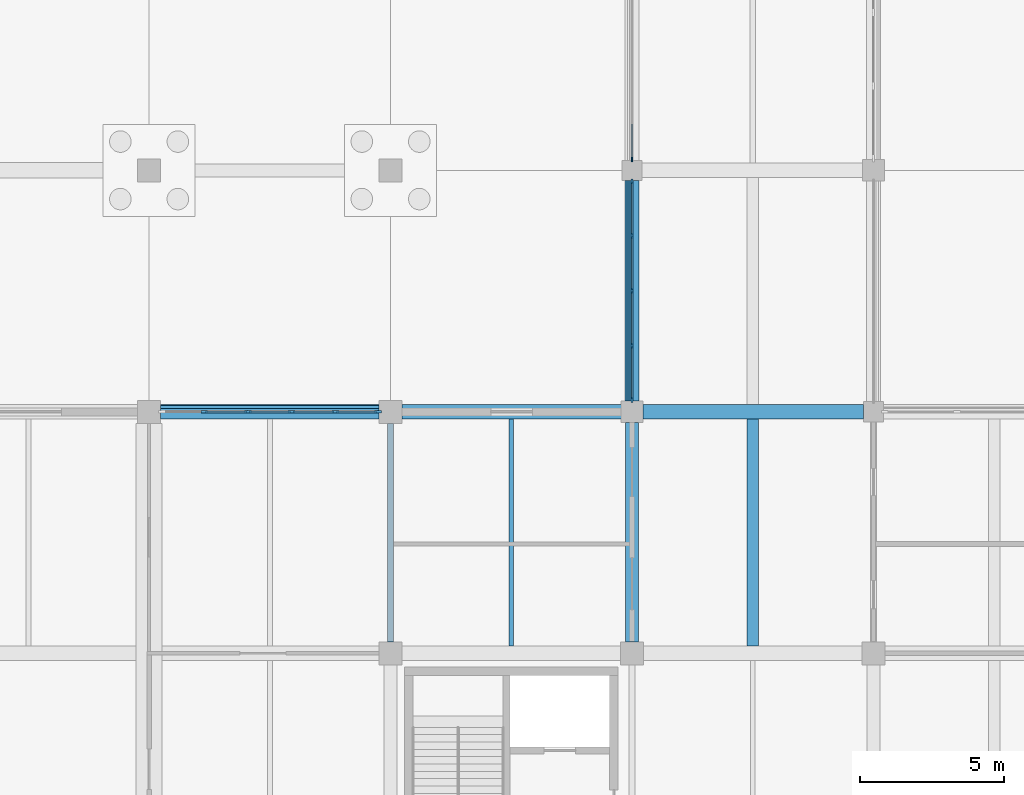
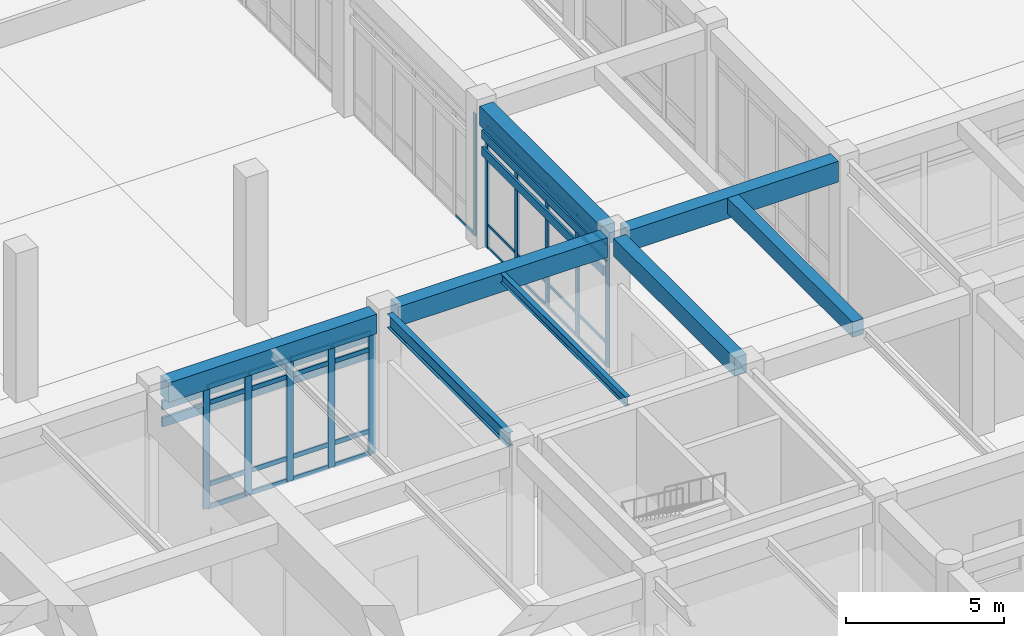
# One storey, part 26 of 91: 48 members, 8 beams, 3 elements without a shape of their own.
"""IFC4 building model written with IfcOpenShell, lengths in metres."""

from ifc_helpers import new_model, si_unit, direction, frame, origin, origin_2d, place, context, subcontext, project, spatial, rectangle, i_section, extrude, material, layer, layer_set, material_profile, profile_set, type_object, element, aggregate, save


model = new_model("IFC4")

# Units and contexts
model_context = context("Model", 3, precision=1e-05, world=origin(), true_north=direction((0.0, 1.0)))
body_context = subcontext(model_context, "Body", "Model", "MODEL_VIEW")
ifc_project = project(units=[si_unit("LENGTHUNIT", "METRE"), si_unit("AREAUNIT", "SQUARE_METRE"), si_unit("VOLUMEUNIT", "CUBIC_METRE"), si_unit("PLANEANGLEUNIT", "RADIAN"), si_unit("MASSUNIT", "GRAM", prefix="KILO")], contexts=[model_context])

# Site, building, storey
site_placement = place(None, origin())
site = spatial("IfcSite", under=ifc_project, at=site_placement, CompositionType="ELEMENT")
building_placement = place(site_placement, origin())
building = spatial("IfcBuilding", under=site, at=building_placement, Name="Porcellanite Civic Hall", CompositionType="ELEMENT")
storey_placement = place(building_placement, origin())
storey = spatial("IfcBuildingStorey", under=building, at=storey_placement, Name="L00", CompositionType="ELEMENT", Elevation=0.0)

# Beams
ifc_material_1 = material(Name="Concrete N50 (50 MPa)", Category="concrete")
ifc_material_profile_1 = material_profile(ifc_material_1, rectangle(XDim=0.39990234375, YDim=0.60009765625, at=origin_2d()), Name="RC-400x600")
ifc_profile_set_1 = profile_set([ifc_material_profile_1], Name="Concrete N50 (50 MPa)")
beam_type_1 = type_object("IfcBeamType", Name="BM-RC600", PredefinedType="JOIST", material=ifc_profile_set_1)
beam_1_placement = place(storey_placement, frame((121.800048828125, 59.049560546875, 5.199951171875), z_axis=(0.0, 1.0, 0.0), x_axis=(-1.0, 0.0, 0.0)))
element("IfcBeam", 1, at=beam_1_placement, inside=storey, type_object=beam_type_1, Name="Secondary joist L00 15-8", PredefinedType="JOIST", context=body_context, shape_type="SweptSolid", body=[
    extrude(rectangle(XDim=0.39990234375, YDim=0.60009765625, at=origin_2d()), origin(), (0.0, 0.0, 1.0), 7.90087890625),
])
ifc_material_2 = material(Name="Concrete N50 (50 MPa)", Category="concrete")
ifc_material_profile_2 = material_profile(ifc_material_2, rectangle(XDim=0.449951171875, YDim=0.699951171875, at=origin_2d()), Name="RC-450x700")
ifc_profile_set_2 = profile_set([ifc_material_profile_2], Name="Concrete N50 (50 MPa)")
beam_type_2 = type_object("IfcBeamType", Name="BM-RC700", PredefinedType="BEAM", material=ifc_profile_set_2)
beam_2_placement = place(storey_placement, frame((117.60009765625, 59.199462890625, 5.14990234375), z_axis=(0.0, 1.0, 0.0), x_axis=(-1.0, 0.0, 0.0)))
element("IfcBeam", 2, at=beam_2_placement, inside=storey, type_object=beam_type_2, Name="Beam Y L00 15-8", PredefinedType="BEAM", context=body_context, shape_type="SweptSolid", body=[
    extrude(rectangle(XDim=0.449951171875, YDim=0.699951171875, at=origin_2d()), origin(), (0.0, 0.0, 1.0), 7.6259765625),
])
ifc_material_3 = material(Name="Concrete N50 (50 MPa)", Category="concrete")
ifc_material_profile_3 = material_profile(ifc_material_3, rectangle(XDim=0.5, YDim=0.75, at=origin_2d()), Name="RC-500x750")
ifc_profile_set_3 = profile_set([ifc_material_profile_3], Name="Concrete N50 (50 MPa)")
beam_type_3 = type_object("IfcBeamType", Name="BM-RC750", PredefinedType="SPANDREL", material=ifc_profile_set_3)
beam_3_placement = place(storey_placement, frame((101.199462890625, 67.199951171875, 5.125), z_axis=(1.0, 0.0, 0.0), x_axis=(0.0, 1.0, 0.0)))
element("IfcBeam", 3, at=beam_3_placement, inside=storey, type_object=beam_type_3, Name="Beam X L00 13-9", PredefinedType="SPANDREL", context=body_context, shape_type="SweptSolid", body=[
    extrude(rectangle(XDim=0.5, YDim=0.75, at=origin_2d()), origin(), (0.0, 0.0, 1.0), 7.60107421875),
])
beam_4_placement = place(storey_placement, frame((109.599609375, 67.199951171875, 5.125), z_axis=(1.0, 0.0, 0.0), x_axis=(0.0, 1.0, 0.0)))
element("IfcBeam", 4, at=beam_4_placement, inside=storey, type_object=beam_type_3, Name="Beam X L00 14-9", PredefinedType="SPANDREL", context=body_context, shape_type="SweptSolid", body=[
    extrude(rectangle(XDim=0.5, YDim=0.75, at=origin_2d()), origin(), (0.0, 0.0, 1.0), 7.6259765625),
])
beam_5_placement = place(storey_placement, frame((117.60009765625, 67.574462890625, 5.125), z_axis=(0.0, 1.0, 0.0), x_axis=(-1.0, 0.0, 0.0)))
element("IfcBeam", 5, at=beam_5_placement, inside=storey, type_object=beam_type_3, Name="Beam Y L00 15-9", PredefinedType="SPANDREL", context=body_context, shape_type="SweptSolid", body=[
    extrude(rectangle(XDim=0.5, YDim=0.75, at=origin_2d()), origin(), (0.0, 0.0, 1.0), 7.676025390625),
])
ifc_material_4 = material(Name="Concrete N50 (50 MPa)", Category="concrete")
ifc_material_profile_4 = material_profile(ifc_material_4, rectangle(XDim=0.5, YDim=0.800048828125, at=origin_2d()), Name="RC-500x800")
ifc_profile_set_4 = profile_set([ifc_material_profile_4], Name="Concrete N50 (50 MPa)")
beam_type_4 = type_object("IfcBeamType", Name="BM-RC800", PredefinedType="BEAM", material=ifc_profile_set_4)
beam_6_placement = place(storey_placement, frame((117.974609375, 67.199951171875, 5.10009765625), z_axis=(1.0, 0.0, 0.0), x_axis=(0.0, 1.0, 0.0)))
element("IfcBeam", 6, at=beam_6_placement, inside=storey, type_object=beam_type_4, Name="Beam X L00 15-9", PredefinedType="BEAM", context=body_context, shape_type="SweptSolid", body=[
    extrude(rectangle(XDim=0.5, YDim=0.800048828125, at=origin_2d()), origin(), (0.0, 0.0, 1.0), 7.67578125),
])

# Curtain wall, members
ifc_material_5 = material(Name="Anodised aluminium and solar laminated glass", Category="aluminium")
ifc_layer_1 = layer(ifc_material_5, 0.179931640625)
ifc_layer_set_1 = layer_set([ifc_layer_1], Name="Anodised aluminium and solar laminated glass")
curtain_wall_type_1 = type_object("IfcCurtainWallType", Name="CW-SYS01", PredefinedType="NOTDEFINED", material=ifc_layer_set_1)
curtain_wall_1_placement = place(storey_placement, origin())
curtain_wall_1 = element("IfcCurtainWall", 7, at=curtain_wall_1_placement, inside=storey, type_object=curtain_wall_type_1, Name="Curtain wall CW-034", PredefinedType="NOTDEFINED")
ifc_material_6 = material(Name="Anodised aluminium 6063-T6", Category="aluminium")
ifc_material_profile_5 = material_profile(ifc_material_6, rectangle(XDim=0.080078125, YDim=0.239990234375, at=origin_2d()), Name="AL-80x240")
ifc_profile_set_5 = profile_set([ifc_material_profile_5], Name="Anodised aluminium 6063-T6")
member_type_1 = type_object("IfcMemberType", Name="CWM-01", PredefinedType="MULLION", material=ifc_profile_set_5)
member_1_placement = place(storey_placement, frame((102.720703125, 67.199951171875, 0.0), z_axis=(0.0, 0.0, 1.0), x_axis=(0.0, 1.0, 0.0)))
member_1 = element("IfcMember", 8, at=member_1_placement, type_object=member_type_1, Name="CW-034 mullion 2", PredefinedType="MULLION", context=body_context, shape_type="SweptSolid", body=[
    extrude(rectangle(XDim=0.080078125, YDim=0.239990234375, at=origin_2d()), origin(), (0.0, 0.0, 1.0), 4.699951171875),
])
member_2_placement = place(storey_placement, frame((104.240234375, 67.199951171875, 0.0), z_axis=(0.0, 0.0, 1.0), x_axis=(0.0, 1.0, 0.0)))
member_2 = element("IfcMember", 9, at=member_2_placement, type_object=member_type_1, Name="CW-034 mullion 3", PredefinedType="MULLION", context=body_context, shape_type="SweptSolid", body=[
    extrude(rectangle(XDim=0.080078125, YDim=0.239990234375, at=origin_2d()), origin(), (0.0, 0.0, 1.0), 4.699951171875),
])
member_3_placement = place(storey_placement, frame((105.759765625, 67.199951171875, 0.0), z_axis=(0.0, 0.0, 1.0), x_axis=(0.0, 1.0, 0.0)))
member_3 = element("IfcMember", 10, at=member_3_placement, type_object=member_type_1, Name="CW-034 mullion 4", PredefinedType="MULLION", context=body_context, shape_type="SweptSolid", body=[
    extrude(rectangle(XDim=0.080078125, YDim=0.239990234375, at=origin_2d()), origin(), (0.0, 0.0, 1.0), 4.699951171875),
])
member_4_placement = place(storey_placement, frame((107.279296875, 67.199951171875, 0.0), z_axis=(0.0, 0.0, 1.0), x_axis=(0.0, 1.0, 0.0)))
member_4 = element("IfcMember", 11, at=member_4_placement, type_object=member_type_1, Name="CW-034 mullion 5", PredefinedType="MULLION", context=body_context, shape_type="SweptSolid", body=[
    extrude(rectangle(XDim=0.080078125, YDim=0.239990234375, at=origin_2d()), origin(), (0.0, 0.0, 1.0), 4.699951171875),
])
member_5_placement = place(storey_placement, frame((108.759033203125, 67.199951171875, 0.0), z_axis=(0.0, 0.0, 1.0), x_axis=(0.0, 1.0, 0.0)))
member_5 = element("IfcMember", 12, at=member_5_placement, type_object=member_type_1, Name="CW-034 mullion 6", PredefinedType="MULLION", context=body_context, shape_type="SweptSolid", body=[
    extrude(rectangle(XDim=0.080078125, YDim=0.239990234375, at=origin_2d()), origin(), (0.0, 0.0, 1.0), 4.699951171875),
])

ifc_material_7 = material(Name="Anodised aluminium and solar laminated glass", Category="aluminium")
ifc_layer_2 = layer(ifc_material_7, 0.179931640625)
ifc_layer_set_2 = layer_set([ifc_layer_2], Name="Anodised aluminium and solar laminated glass")
curtain_wall_type_2 = type_object("IfcCurtainWallType", Name="CW-SYS04", PredefinedType="NOTDEFINED", material=ifc_layer_set_2)
curtain_wall_2_placement = place(storey_placement, origin())
curtain_wall_2 = element("IfcCurtainWall", 13, at=curtain_wall_2_placement, inside=storey, type_object=curtain_wall_type_2, Name="Curtain wall CW-037", PredefinedType="NOTDEFINED")
ifc_material_8 = material(Name="Anodised aluminium 6063-T6", Category="aluminium")
ifc_material_profile_6 = material_profile(ifc_material_8, rectangle(XDim=0.074951171875, YDim=0.18994140625, at=origin_2d()), Name="AL-75x190")
ifc_profile_set_6 = profile_set([ifc_material_profile_6], Name="Anodised aluminium 6063-T6")
member_type_2 = type_object("IfcMemberType", Name="CWM-04", PredefinedType="MULLION", material=ifc_profile_set_6)
member_6_placement = place(storey_placement, frame((117.60009765625, 67.613525390625, 0.0), z_axis=(0.0, 0.0, 1.0), x_axis=(-1.0, 0.0, 0.0)))
member_6 = element("IfcMember", 14, at=member_6_placement, type_object=member_type_2, Name="CW-037 mullion 1", PredefinedType="MULLION", context=body_context, shape_type="SweptSolid", body=[
    extrude(rectangle(XDim=0.074951171875, YDim=0.18994140625, at=origin_2d()), origin(), (0.0, 0.0, 1.0), 4.699951171875),
])
member_7_placement = place(storey_placement, frame((117.60009765625, 69.494140625, 0.0), z_axis=(0.0, 0.0, 1.0), x_axis=(-1.0, 0.0, 0.0)))
member_7 = element("IfcMember", 15, at=member_7_placement, type_object=member_type_2, Name="CW-037 mullion 2", PredefinedType="MULLION", context=body_context, shape_type="SweptSolid", body=[
    extrude(rectangle(XDim=0.074951171875, YDim=0.18994140625, at=origin_2d()), origin(), (0.0, 0.0, 1.0), 4.699951171875),
])
member_8_placement = place(storey_placement, frame((117.60009765625, 71.41259765625, 0.0), z_axis=(0.0, 0.0, 1.0), x_axis=(-1.0, 0.0, 0.0)))
member_8 = element("IfcMember", 16, at=member_8_placement, type_object=member_type_2, Name="CW-037 mullion 3", PredefinedType="MULLION", context=body_context, shape_type="SweptSolid", body=[
    extrude(rectangle(XDim=0.074951171875, YDim=0.18994140625, at=origin_2d()), origin(), (0.0, 0.0, 1.0), 4.699951171875),
])
member_9_placement = place(storey_placement, frame((117.60009765625, 73.330810546875, 0.0), z_axis=(0.0, 0.0, 1.0), x_axis=(-1.0, 0.0, 0.0)))
member_9 = element("IfcMember", 17, at=member_9_placement, type_object=member_type_2, Name="CW-037 mullion 4", PredefinedType="MULLION", context=body_context, shape_type="SweptSolid", body=[
    extrude(rectangle(XDim=0.074951171875, YDim=0.18994140625, at=origin_2d()), origin(), (0.0, 0.0, 1.0), 4.699951171875),
])
member_10_placement = place(storey_placement, frame((117.60009765625, 75.21142578125, 0.0), z_axis=(0.0, 0.0, 1.0), x_axis=(-1.0, 0.0, 0.0)))
member_10 = element("IfcMember", 18, at=member_10_placement, type_object=member_type_2, Name="CW-037 mullion 5", PredefinedType="MULLION", context=body_context, shape_type="SweptSolid", body=[
    extrude(rectangle(XDim=0.074951171875, YDim=0.18994140625, at=origin_2d()), origin(), (0.0, 0.0, 1.0), 4.699951171875),
])

# Curtain wall, member
ifc_material_9 = material(Name="Anodised aluminium and solar laminated glass", Category="aluminium")
ifc_layer_3 = layer(ifc_material_9, 0.179931640625)
ifc_layer_set_3 = layer_set([ifc_layer_3], Name="Anodised aluminium and solar laminated glass")
curtain_wall_type_3 = type_object("IfcCurtainWallType", Name="CW-SYS07", PredefinedType="NOTDEFINED", material=ifc_layer_set_3)
curtain_wall_3_placement = place(storey_placement, origin())
curtain_wall_3 = element("IfcCurtainWall", 19, at=curtain_wall_3_placement, inside=storey, type_object=curtain_wall_type_3, Name="Curtain wall CW-039", PredefinedType="NOTDEFINED")
ifc_material_10 = material(Name="Anodised aluminium 6063-T6", Category="aluminium")
ifc_material_profile_7 = material_profile(ifc_material_10, rectangle(XDim=0.06005859375, YDim=0.159912109375, at=origin_2d()), Name="AL-60x160")
ifc_profile_set_7 = profile_set([ifc_material_profile_7], Name="Anodised aluminium 6063-T6")
member_type_3 = type_object("IfcMemberType", Name="CWM-07", PredefinedType="MULLION", material=ifc_profile_set_7)
member_11_placement = place(storey_placement, frame((117.60009765625, 75.98095703125, 0.0), z_axis=(0.0, 0.0, 1.0), x_axis=(-1.0, 0.0, 0.0)))
member_11 = element("IfcMember", 20, at=member_11_placement, type_object=member_type_3, Name="CW-039 mullion 1", PredefinedType="MULLION", context=body_context, shape_type="SweptSolid", body=[
    extrude(rectangle(XDim=0.06005859375, YDim=0.159912109375, at=origin_2d()), origin(), (0.0, 0.0, 1.0), 4.699951171875),
])

# Member
ifc_material_11 = material(Name="Anodised aluminium 6063-T6", Category="aluminium")
ifc_material_profile_8 = material_profile(ifc_material_11, rectangle(XDim=0.070068359375, YDim=0.175048828125, at=origin_2d()), Name="AL-70x175")
ifc_profile_set_8 = profile_set([ifc_material_profile_8], Name="Anodised aluminium 6063-T6")
member_type_4 = type_object("IfcMemberType", Name="CWT-01", PredefinedType="USERDEFINED", material=ifc_profile_set_8)
member_12_placement = place(storey_placement, frame((102.760498046875, 67.199951171875, 0.034912109375), z_axis=(1.0, 0.0, 0.0), x_axis=(0.0, 1.0, 0.0)))
member_12 = element("IfcMember", 21, at=member_12_placement, type_object=member_type_4, Name="CW-034 transom 2.1", ObjectType="TRANSOM", PredefinedType="USERDEFINED", context=body_context, shape_type="SweptSolid", body=[
    extrude(rectangle(XDim=0.070068359375, YDim=0.175048828125, at=origin_2d()), origin(), (0.0, 0.0, 1.0), 1.439697265625),
])

member_13_placement = place(storey_placement, frame((102.760498046875, 67.199951171875, 0.89990234375), z_axis=(1.0, 0.0, 0.0), x_axis=(0.0, 1.0, 0.0)))
member_13 = element("IfcMember", 22, at=member_13_placement, type_object=member_type_4, Name="CW-034 transom 2.2", ObjectType="TRANSOM", PredefinedType="USERDEFINED", context=body_context, shape_type="SweptSolid", body=[
    extrude(rectangle(XDim=0.070068359375, YDim=0.175048828125, at=origin_2d()), origin(), (0.0, 0.0, 1.0), 1.439697265625),
])

member_14_placement = place(storey_placement, frame((102.760498046875, 67.199951171875, 4.050048828125), z_axis=(1.0, 0.0, 0.0), x_axis=(0.0, 1.0, 0.0)))
member_14 = element("IfcMember", 23, at=member_14_placement, type_object=member_type_4, Name="CW-034 transom 2.3", ObjectType="TRANSOM", PredefinedType="USERDEFINED", context=body_context, shape_type="SweptSolid", body=[
    extrude(rectangle(XDim=0.070068359375, YDim=0.175048828125, at=origin_2d()), origin(), (0.0, 0.0, 1.0), 1.439697265625),
])

member_15_placement = place(storey_placement, frame((102.760498046875, 67.199951171875, 4.6650390625), z_axis=(1.0, 0.0, 0.0), x_axis=(0.0, 1.0, 0.0)))
member_15 = element("IfcMember", 24, at=member_15_placement, type_object=member_type_4, Name="CW-034 transom 2.4", ObjectType="TRANSOM", PredefinedType="USERDEFINED", context=body_context, shape_type="SweptSolid", body=[
    extrude(rectangle(XDim=0.070068359375, YDim=0.175048828125, at=origin_2d()), origin(), (0.0, 0.0, 1.0), 1.439697265625),
])

member_16_placement = place(storey_placement, frame((104.2802734375, 67.199951171875, 0.034912109375), z_axis=(1.0, 0.0, 0.0), x_axis=(0.0, 1.0, 0.0)))
member_16 = element("IfcMember", 25, at=member_16_placement, type_object=member_type_4, Name="CW-034 transom 3.1", ObjectType="TRANSOM", PredefinedType="USERDEFINED", context=body_context, shape_type="SweptSolid", body=[
    extrude(rectangle(XDim=0.070068359375, YDim=0.175048828125, at=origin_2d()), origin(), (0.0, 0.0, 1.0), 1.439453125),
])

member_17_placement = place(storey_placement, frame((104.2802734375, 67.199951171875, 0.89990234375), z_axis=(1.0, 0.0, 0.0), x_axis=(0.0, 1.0, 0.0)))
member_17 = element("IfcMember", 26, at=member_17_placement, type_object=member_type_4, Name="CW-034 transom 3.2", ObjectType="TRANSOM", PredefinedType="USERDEFINED", context=body_context, shape_type="SweptSolid", body=[
    extrude(rectangle(XDim=0.070068359375, YDim=0.175048828125, at=origin_2d()), origin(), (0.0, 0.0, 1.0), 1.439453125),
])

member_18_placement = place(storey_placement, frame((104.2802734375, 67.199951171875, 4.050048828125), z_axis=(1.0, 0.0, 0.0), x_axis=(0.0, 1.0, 0.0)))
member_18 = element("IfcMember", 27, at=member_18_placement, type_object=member_type_4, Name="CW-034 transom 3.3", ObjectType="TRANSOM", PredefinedType="USERDEFINED", context=body_context, shape_type="SweptSolid", body=[
    extrude(rectangle(XDim=0.070068359375, YDim=0.175048828125, at=origin_2d()), origin(), (0.0, 0.0, 1.0), 1.439453125),
])

member_19_placement = place(storey_placement, frame((104.2802734375, 67.199951171875, 4.6650390625), z_axis=(1.0, 0.0, 0.0), x_axis=(0.0, 1.0, 0.0)))
member_19 = element("IfcMember", 28, at=member_19_placement, type_object=member_type_4, Name="CW-034 transom 3.4", ObjectType="TRANSOM", PredefinedType="USERDEFINED", context=body_context, shape_type="SweptSolid", body=[
    extrude(rectangle(XDim=0.070068359375, YDim=0.175048828125, at=origin_2d()), origin(), (0.0, 0.0, 1.0), 1.439453125),
])

member_20_placement = place(storey_placement, frame((105.7998046875, 67.199951171875, 0.034912109375), z_axis=(1.0, 0.0, 0.0), x_axis=(0.0, 1.0, 0.0)))
member_20 = element("IfcMember", 29, at=member_20_placement, type_object=member_type_4, Name="CW-034 transom 4.1", ObjectType="TRANSOM", PredefinedType="USERDEFINED", context=body_context, shape_type="SweptSolid", body=[
    extrude(rectangle(XDim=0.070068359375, YDim=0.175048828125, at=origin_2d()), origin(), (0.0, 0.0, 1.0), 1.439697265625),
])

member_21_placement = place(storey_placement, frame((105.7998046875, 67.199951171875, 0.89990234375), z_axis=(1.0, 0.0, 0.0), x_axis=(0.0, 1.0, 0.0)))
member_21 = element("IfcMember", 30, at=member_21_placement, type_object=member_type_4, Name="CW-034 transom 4.2", ObjectType="TRANSOM", PredefinedType="USERDEFINED", context=body_context, shape_type="SweptSolid", body=[
    extrude(rectangle(XDim=0.070068359375, YDim=0.175048828125, at=origin_2d()), origin(), (0.0, 0.0, 1.0), 1.439697265625),
])

member_22_placement = place(storey_placement, frame((105.7998046875, 67.199951171875, 4.050048828125), z_axis=(1.0, 0.0, 0.0), x_axis=(0.0, 1.0, 0.0)))
member_22 = element("IfcMember", 31, at=member_22_placement, type_object=member_type_4, Name="CW-034 transom 4.3", ObjectType="TRANSOM", PredefinedType="USERDEFINED", context=body_context, shape_type="SweptSolid", body=[
    extrude(rectangle(XDim=0.070068359375, YDim=0.175048828125, at=origin_2d()), origin(), (0.0, 0.0, 1.0), 1.439697265625),
])

member_23_placement = place(storey_placement, frame((105.7998046875, 67.199951171875, 4.6650390625), z_axis=(1.0, 0.0, 0.0), x_axis=(0.0, 1.0, 0.0)))
member_23 = element("IfcMember", 32, at=member_23_placement, type_object=member_type_4, Name="CW-034 transom 4.4", ObjectType="TRANSOM", PredefinedType="USERDEFINED", context=body_context, shape_type="SweptSolid", body=[
    extrude(rectangle(XDim=0.070068359375, YDim=0.175048828125, at=origin_2d()), origin(), (0.0, 0.0, 1.0), 1.439697265625),
])

member_24_placement = place(storey_placement, frame((107.3193359375, 67.199951171875, 0.034912109375), z_axis=(1.0, 0.0, 0.0), x_axis=(0.0, 1.0, 0.0)))
member_24 = element("IfcMember", 33, at=member_24_placement, type_object=member_type_4, Name="CW-034 transom 5.1", ObjectType="TRANSOM", PredefinedType="USERDEFINED", context=body_context, shape_type="SweptSolid", body=[
    extrude(rectangle(XDim=0.070068359375, YDim=0.175048828125, at=origin_2d()), origin(), (0.0, 0.0, 1.0), 1.399658203125),
])

member_25_placement = place(storey_placement, frame((107.3193359375, 67.199951171875, 0.89990234375), z_axis=(1.0, 0.0, 0.0), x_axis=(0.0, 1.0, 0.0)))
member_25 = element("IfcMember", 34, at=member_25_placement, type_object=member_type_4, Name="CW-034 transom 5.2", ObjectType="TRANSOM", PredefinedType="USERDEFINED", context=body_context, shape_type="SweptSolid", body=[
    extrude(rectangle(XDim=0.070068359375, YDim=0.175048828125, at=origin_2d()), origin(), (0.0, 0.0, 1.0), 1.399658203125),
])

member_26_placement = place(storey_placement, frame((107.3193359375, 67.199951171875, 4.050048828125), z_axis=(1.0, 0.0, 0.0), x_axis=(0.0, 1.0, 0.0)))
member_26 = element("IfcMember", 35, at=member_26_placement, type_object=member_type_4, Name="CW-034 transom 5.3", ObjectType="TRANSOM", PredefinedType="USERDEFINED", context=body_context, shape_type="SweptSolid", body=[
    extrude(rectangle(XDim=0.070068359375, YDim=0.175048828125, at=origin_2d()), origin(), (0.0, 0.0, 1.0), 1.399658203125),
])

member_27_placement = place(storey_placement, frame((107.3193359375, 67.199951171875, 4.6650390625), z_axis=(1.0, 0.0, 0.0), x_axis=(0.0, 1.0, 0.0)))
member_27 = element("IfcMember", 36, at=member_27_placement, type_object=member_type_4, Name="CW-034 transom 5.4", ObjectType="TRANSOM", PredefinedType="USERDEFINED", context=body_context, shape_type="SweptSolid", body=[
    extrude(rectangle(XDim=0.070068359375, YDim=0.175048828125, at=origin_2d()), origin(), (0.0, 0.0, 1.0), 1.399658203125),
])

aggregate(curtain_wall_1, [member_1, member_2, member_3, member_4, member_5, member_12, member_13, member_14, member_15, member_16, member_17, member_18, member_19, member_20, member_21, member_22, member_23, member_24, member_25, member_26, member_27])

ifc_material_12 = material(Name="Anodised aluminium 6063-T6", Category="aluminium")
ifc_material_profile_9 = material_profile(ifc_material_12, rectangle(XDim=0.054931640625, YDim=0.10009765625, at=origin_2d()), Name="AL-55x100")
ifc_profile_set_9 = profile_set([ifc_material_profile_9], Name="Anodised aluminium 6063-T6")
member_type_5 = type_object("IfcMemberType", Name="CWT-05", PredefinedType="USERDEFINED", material=ifc_profile_set_9)
member_28_placement = place(storey_placement, frame((117.60009765625, 67.65087890625, 0.027587890625), z_axis=(0.0, 1.0, 0.0), x_axis=(-1.0, 0.0, 0.0)))
member_28 = element("IfcMember", 37, at=member_28_placement, type_object=member_type_5, Name="CW-037 transom 1.1", ObjectType="TRANSOM", PredefinedType="USERDEFINED", context=body_context, shape_type="SweptSolid", body=[
    extrude(rectangle(XDim=0.054931640625, YDim=0.10009765625, at=origin_2d()), origin(), (0.0, 0.0, 1.0), 1.805908203125),
])

member_29_placement = place(storey_placement, frame((117.60009765625, 67.65087890625, 0.89990234375), z_axis=(0.0, 1.0, 0.0), x_axis=(-1.0, 0.0, 0.0)))
member_29 = element("IfcMember", 38, at=member_29_placement, type_object=member_type_5, Name="CW-037 transom 1.2", ObjectType="TRANSOM", PredefinedType="USERDEFINED", context=body_context, shape_type="SweptSolid", body=[
    extrude(rectangle(XDim=0.054931640625, YDim=0.10009765625, at=origin_2d()), origin(), (0.0, 0.0, 1.0), 1.805908203125),
])

member_30_placement = place(storey_placement, frame((117.60009765625, 67.65087890625, 4.050048828125), z_axis=(0.0, 1.0, 0.0), x_axis=(-1.0, 0.0, 0.0)))
member_30 = element("IfcMember", 39, at=member_30_placement, type_object=member_type_5, Name="CW-037 transom 1.3", ObjectType="TRANSOM", PredefinedType="USERDEFINED", context=body_context, shape_type="SweptSolid", body=[
    extrude(rectangle(XDim=0.054931640625, YDim=0.10009765625, at=origin_2d()), origin(), (0.0, 0.0, 1.0), 1.805908203125),
])

member_31_placement = place(storey_placement, frame((117.60009765625, 67.65087890625, 4.672607421875), z_axis=(0.0, 1.0, 0.0), x_axis=(-1.0, 0.0, 0.0)))
member_31 = element("IfcMember", 40, at=member_31_placement, type_object=member_type_5, Name="CW-037 transom 1.4", ObjectType="TRANSOM", PredefinedType="USERDEFINED", context=body_context, shape_type="SweptSolid", body=[
    extrude(rectangle(XDim=0.054931640625, YDim=0.10009765625, at=origin_2d()), origin(), (0.0, 0.0, 1.0), 1.805908203125),
])

member_32_placement = place(storey_placement, frame((117.60009765625, 69.53173828125, 0.027587890625), z_axis=(0.0, 1.0, 0.0), x_axis=(-1.0, 0.0, 0.0)))
member_32 = element("IfcMember", 41, at=member_32_placement, type_object=member_type_5, Name="CW-037 transom 2.1", ObjectType="TRANSOM", PredefinedType="USERDEFINED", context=body_context, shape_type="SweptSolid", body=[
    extrude(rectangle(XDim=0.054931640625, YDim=0.10009765625, at=origin_2d()), origin(), (0.0, 0.0, 1.0), 1.84326171875),
])

member_33_placement = place(storey_placement, frame((117.60009765625, 69.53173828125, 0.89990234375), z_axis=(0.0, 1.0, 0.0), x_axis=(-1.0, 0.0, 0.0)))
member_33 = element("IfcMember", 42, at=member_33_placement, type_object=member_type_5, Name="CW-037 transom 2.2", ObjectType="TRANSOM", PredefinedType="USERDEFINED", context=body_context, shape_type="SweptSolid", body=[
    extrude(rectangle(XDim=0.054931640625, YDim=0.10009765625, at=origin_2d()), origin(), (0.0, 0.0, 1.0), 1.84326171875),
])

member_34_placement = place(storey_placement, frame((117.60009765625, 69.53173828125, 4.050048828125), z_axis=(0.0, 1.0, 0.0), x_axis=(-1.0, 0.0, 0.0)))
member_34 = element("IfcMember", 43, at=member_34_placement, type_object=member_type_5, Name="CW-037 transom 2.3", ObjectType="TRANSOM", PredefinedType="USERDEFINED", context=body_context, shape_type="SweptSolid", body=[
    extrude(rectangle(XDim=0.054931640625, YDim=0.10009765625, at=origin_2d()), origin(), (0.0, 0.0, 1.0), 1.84326171875),
])

member_35_placement = place(storey_placement, frame((117.60009765625, 69.53173828125, 4.672607421875), z_axis=(0.0, 1.0, 0.0), x_axis=(-1.0, 0.0, 0.0)))
member_35 = element("IfcMember", 44, at=member_35_placement, type_object=member_type_5, Name="CW-037 transom 2.4", ObjectType="TRANSOM", PredefinedType="USERDEFINED", context=body_context, shape_type="SweptSolid", body=[
    extrude(rectangle(XDim=0.054931640625, YDim=0.10009765625, at=origin_2d()), origin(), (0.0, 0.0, 1.0), 1.84326171875),
])

member_36_placement = place(storey_placement, frame((117.60009765625, 71.449951171875, 0.027587890625), z_axis=(0.0, 1.0, 0.0), x_axis=(-1.0, 0.0, 0.0)))
member_36 = element("IfcMember", 45, at=member_36_placement, type_object=member_type_5, Name="CW-037 transom 3.1", ObjectType="TRANSOM", PredefinedType="USERDEFINED", context=body_context, shape_type="SweptSolid", body=[
    extrude(rectangle(XDim=0.054931640625, YDim=0.10009765625, at=origin_2d()), origin(), (0.0, 0.0, 1.0), 1.84326171875),
])

member_37_placement = place(storey_placement, frame((117.60009765625, 71.449951171875, 0.89990234375), z_axis=(0.0, 1.0, 0.0), x_axis=(-1.0, 0.0, 0.0)))
member_37 = element("IfcMember", 46, at=member_37_placement, type_object=member_type_5, Name="CW-037 transom 3.2", ObjectType="TRANSOM", PredefinedType="USERDEFINED", context=body_context, shape_type="SweptSolid", body=[
    extrude(rectangle(XDim=0.054931640625, YDim=0.10009765625, at=origin_2d()), origin(), (0.0, 0.0, 1.0), 1.84326171875),
])

member_38_placement = place(storey_placement, frame((117.60009765625, 71.449951171875, 4.050048828125), z_axis=(0.0, 1.0, 0.0), x_axis=(-1.0, 0.0, 0.0)))
member_38 = element("IfcMember", 47, at=member_38_placement, type_object=member_type_5, Name="CW-037 transom 3.3", ObjectType="TRANSOM", PredefinedType="USERDEFINED", context=body_context, shape_type="SweptSolid", body=[
    extrude(rectangle(XDim=0.054931640625, YDim=0.10009765625, at=origin_2d()), origin(), (0.0, 0.0, 1.0), 1.84326171875),
])

member_39_placement = place(storey_placement, frame((117.60009765625, 71.449951171875, 4.672607421875), z_axis=(0.0, 1.0, 0.0), x_axis=(-1.0, 0.0, 0.0)))
member_39 = element("IfcMember", 48, at=member_39_placement, type_object=member_type_5, Name="CW-037 transom 3.4", ObjectType="TRANSOM", PredefinedType="USERDEFINED", context=body_context, shape_type="SweptSolid", body=[
    extrude(rectangle(XDim=0.054931640625, YDim=0.10009765625, at=origin_2d()), origin(), (0.0, 0.0, 1.0), 1.84326171875),
])

member_40_placement = place(storey_placement, frame((117.60009765625, 73.3681640625, 0.027587890625), z_axis=(0.0, 1.0, 0.0), x_axis=(-1.0, 0.0, 0.0)))
member_40 = element("IfcMember", 49, at=member_40_placement, type_object=member_type_5, Name="CW-037 transom 4.1", ObjectType="TRANSOM", PredefinedType="USERDEFINED", context=body_context, shape_type="SweptSolid", body=[
    extrude(rectangle(XDim=0.054931640625, YDim=0.10009765625, at=origin_2d()), origin(), (0.0, 0.0, 1.0), 1.805908203125),
])

member_41_placement = place(storey_placement, frame((117.60009765625, 73.3681640625, 0.89990234375), z_axis=(0.0, 1.0, 0.0), x_axis=(-1.0, 0.0, 0.0)))
member_41 = element("IfcMember", 50, at=member_41_placement, type_object=member_type_5, Name="CW-037 transom 4.2", ObjectType="TRANSOM", PredefinedType="USERDEFINED", context=body_context, shape_type="SweptSolid", body=[
    extrude(rectangle(XDim=0.054931640625, YDim=0.10009765625, at=origin_2d()), origin(), (0.0, 0.0, 1.0), 1.805908203125),
])

member_42_placement = place(storey_placement, frame((117.60009765625, 73.3681640625, 4.050048828125), z_axis=(0.0, 1.0, 0.0), x_axis=(-1.0, 0.0, 0.0)))
member_42 = element("IfcMember", 51, at=member_42_placement, type_object=member_type_5, Name="CW-037 transom 4.3", ObjectType="TRANSOM", PredefinedType="USERDEFINED", context=body_context, shape_type="SweptSolid", body=[
    extrude(rectangle(XDim=0.054931640625, YDim=0.10009765625, at=origin_2d()), origin(), (0.0, 0.0, 1.0), 1.805908203125),
])

member_43_placement = place(storey_placement, frame((117.60009765625, 73.3681640625, 4.672607421875), z_axis=(0.0, 1.0, 0.0), x_axis=(-1.0, 0.0, 0.0)))
member_43 = element("IfcMember", 52, at=member_43_placement, type_object=member_type_5, Name="CW-037 transom 4.4", ObjectType="TRANSOM", PredefinedType="USERDEFINED", context=body_context, shape_type="SweptSolid", body=[
    extrude(rectangle(XDim=0.054931640625, YDim=0.10009765625, at=origin_2d()), origin(), (0.0, 0.0, 1.0), 1.805908203125),
])

aggregate(curtain_wall_2, [member_6, member_7, member_8, member_9, member_10, member_28, member_29, member_30, member_31, member_32, member_33, member_34, member_35, member_36, member_37, member_38, member_39, member_40, member_41, member_42, member_43])

ifc_material_13 = material(Name="Anodised aluminium 6063-T6", Category="aluminium")
ifc_material_profile_10 = material_profile(ifc_material_13, rectangle(XDim=0.050048828125, YDim=0.110107421875, at=origin_2d()), Name="AL-50x110")
ifc_profile_set_10 = profile_set([ifc_material_profile_10], Name="Anodised aluminium 6063-T6")
member_type_6 = type_object("IfcMemberType", Name="CWT-07", PredefinedType="USERDEFINED", material=ifc_profile_set_10)
member_44_placement = place(storey_placement, frame((117.60009765625, 76.010986328125, 0.02490234375), z_axis=(0.0, 1.0, 0.0), x_axis=(-1.0, 0.0, 0.0)))
member_44 = element("IfcMember", 53, at=member_44_placement, type_object=member_type_6, Name="CW-039 transom 1.1", ObjectType="TRANSOM", PredefinedType="USERDEFINED", context=body_context, shape_type="SweptSolid", body=[
    extrude(rectangle(XDim=0.050048828125, YDim=0.110107421875, at=origin_2d()), origin(), (0.0, 0.0, 1.0), 1.18896484375),
])

aggregate(curtain_wall_3, [member_11, member_44])

# Beam
ifc_material_14 = material(Name="Steel Grade 350", Category="steel")
ifc_material_profile_11 = material_profile(ifc_material_14, i_section(OverallWidth=0.1708984375, OverallDepth=0.35595703125, WebThickness=0.00732421875, FlangeThickness=0.011474609375, FilletRadius=0.011474609375, at=origin_2d()), Name="360UB50.7")
ifc_profile_set_11 = profile_set([ifc_material_profile_11], Name="Steel Grade 350")
beam_type_5 = type_object("IfcBeamType", Name="JST-360UB51", PredefinedType="JOIST", material=ifc_profile_set_11)
beam_7_placement = place(storey_placement, frame((113.39990234375, 59.049560546875, 5.322021484375), z_axis=(0.0, 1.0, 0.0), x_axis=(-1.0, 0.0, 0.0)))
element("IfcBeam", 54, at=beam_7_placement, inside=storey, type_object=beam_type_5, Name="Secondary joist L00 14-8", PredefinedType="JOIST", context=body_context, shape_type="SweptSolid", body=[
    extrude(i_section(OverallWidth=0.1708984375, OverallDepth=0.35595703125, WebThickness=0.00732421875, FlangeThickness=0.011474609375, FilletRadius=0.011474609375, at=origin_2d()), origin(), (0.0, 0.0, 1.0), 7.90087890625),
])

# Members
ifc_material_15 = material(Name="Fluoropolymer bauxite-red aluminium 6063-T6", Category="aluminium")
ifc_material_profile_12 = material_profile(ifc_material_15, rectangle(XDim=0.090087890625, YDim=0.360107421875, at=origin_2d()), Name="AL-90x360")
ifc_profile_set_12 = profile_set([ifc_material_profile_12], Name="Fluoropolymer bauxite-red aluminium 6063-T6")
member_type_7 = type_object("IfcMemberType", Name="LV-BLD01", PredefinedType="USERDEFINED", material=ifc_profile_set_12)
for number, where, z_axis, x_axis, name in (
    (55, (101.199462890625, 67.366943359375, 4.39990234375), (1.0, 0.0, 0.0), (0.0, 1.0, 0.0), "Cyclone sunshade louvre L00 N 12-7 1"),
    (56, (101.199462890625, 67.366943359375, 3.75), (1.0, 0.0, 0.0), (0.0, 1.0, 0.0), "Cyclone sunshade louvre L00 N 12-7 2"),
):
    element("IfcMember", number, at=place(storey_placement, frame(where, z_axis=z_axis, x_axis=x_axis)), inside=storey, type_object=member_type_7, Name=name, ObjectType="LOUVRE BLADE", PredefinedType="USERDEFINED", context=body_context, shape_type="SweptSolid", body=[
        extrude(rectangle(XDim=0.090087890625, YDim=0.360107421875, at=origin_2d()), origin(), (0.0, 0.0, 1.0), 7.60107421875),
    ])
ifc_material_16 = material(Name="Fluoropolymer bauxite-red aluminium 6063-T6", Category="aluminium")
ifc_material_profile_13 = material_profile(ifc_material_16, rectangle(XDim=0.0849609375, YDim=0.340087890625, at=origin_2d()), Name="AL-85x340")
ifc_profile_set_13 = profile_set([ifc_material_profile_13], Name="Fluoropolymer bauxite-red aluminium 6063-T6")
member_type_8 = type_object("IfcMemberType", Name="LV-BLD02", PredefinedType="USERDEFINED", material=ifc_profile_set_13)
for number, where, z_axis, x_axis, name in (
    (57, (117.46044921875, 67.574462890625, 4.39990234375), (0.0, 1.0, 0.0), (-1.0, 0.0, 0.0), "Cyclone sunshade louvre L00 W 14-8 1"),
    (58, (117.46044921875, 67.574462890625, 3.75), (0.0, 1.0, 0.0), (-1.0, 0.0, 0.0), "Cyclone sunshade louvre L00 W 14-8 2"),
):
    element("IfcMember", number, at=place(storey_placement, frame(where, z_axis=z_axis, x_axis=x_axis)), inside=storey, type_object=member_type_8, Name=name, ObjectType="LOUVRE BLADE", PredefinedType="USERDEFINED", context=body_context, shape_type="SweptSolid", body=[
        extrude(rectangle(XDim=0.0849609375, YDim=0.340087890625, at=origin_2d()), origin(), (0.0, 0.0, 1.0), 7.676025390625),
    ])

# Beam
ifc_material_17 = material(Name="Steel Grade 350", Category="steel")
ifc_material_profile_14 = material_profile(ifc_material_17, i_section(OverallWidth=0.208984375, OverallDepth=0.528076171875, WebThickness=0.009521484375, FlangeThickness=0.01318359375, FilletRadius=0.013916015625, at=origin_2d()), Name="530UB82.0")
ifc_profile_set_14 = profile_set([ifc_material_profile_14], Name="Steel Grade 350")
beam_type_6 = type_object("IfcBeamType", Name="RAF-530UB82", PredefinedType="BEAM", material=ifc_profile_set_14)
beam_8_placement = place(storey_placement, frame((109.199951171875, 59.199462890625, 5.236083984375), z_axis=(0.0, 1.0, 0.0), x_axis=(-1.0, 0.0, 0.0)))
element("IfcBeam", 59, at=beam_8_placement, inside=storey, type_object=beam_type_6, Name="Beam Y L00 14-8", PredefinedType="BEAM", context=body_context, shape_type="SweptSolid", body=[
    extrude(i_section(OverallWidth=0.208984375, OverallDepth=0.528076171875, WebThickness=0.009521484375, FlangeThickness=0.01318359375, FilletRadius=0.013916015625, at=origin_2d()), origin(), (0.0, 0.0, 1.0), 7.60107421875),
])

save(model, "model.ifc")
